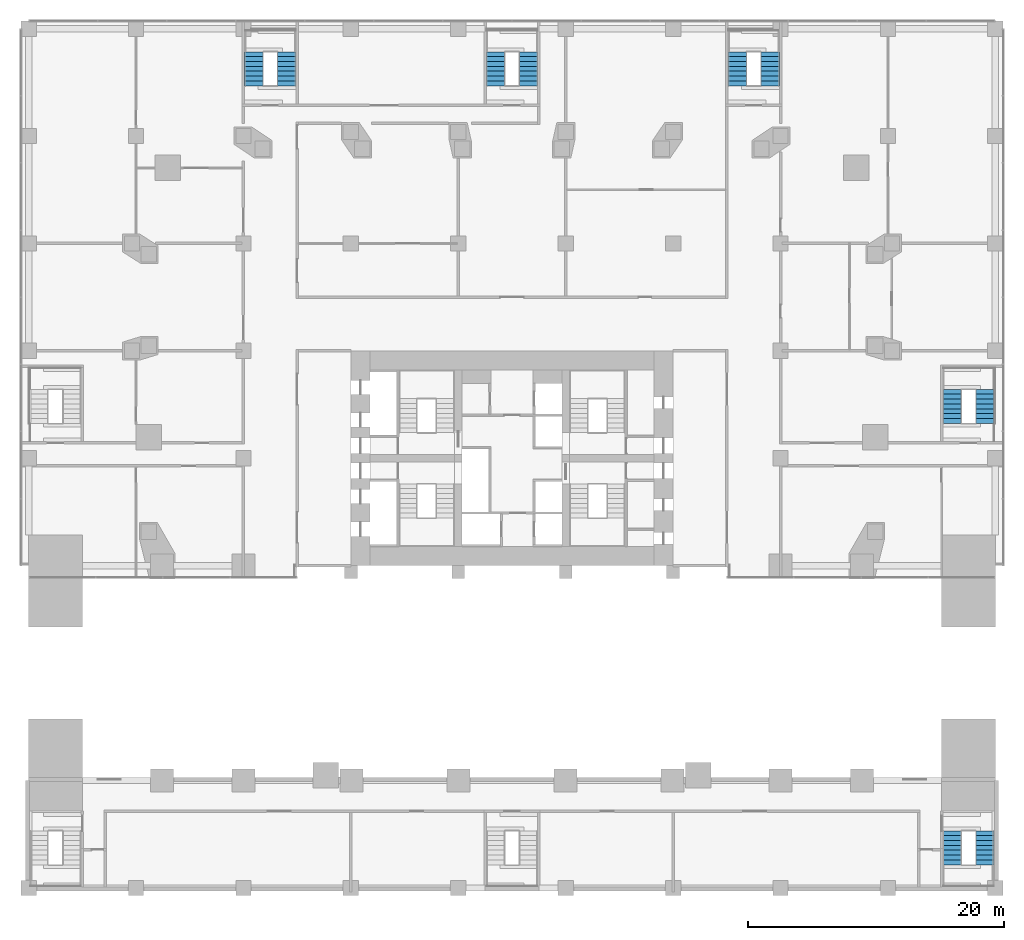
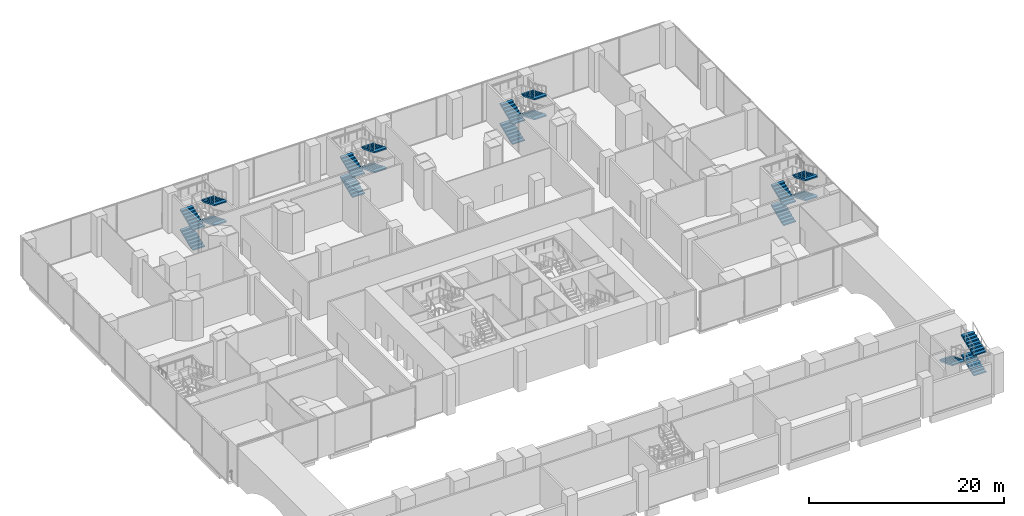
# One storey, part 22 of 28: 19 stair flights, 5 elements without a shape of their own.
"""IFC4 building model written with IfcOpenShell, lengths in metres."""

from ifc_helpers import new_model, si_unit, direction, frame, origin, place, context, subcontext, project, spatial, polyline, outline, extrude, material, type_object, element, aggregate, save


model = new_model("IFC4")

# Units and contexts
model_context = context("Model", 3, precision=1e-05, world=origin(), true_north=direction((0.0, 1.0)))
body_context = subcontext(model_context, "Body", "Model", "MODEL_VIEW")
ifc_project = project(units=[si_unit("LENGTHUNIT", "METRE"), si_unit("AREAUNIT", "SQUARE_METRE"), si_unit("VOLUMEUNIT", "CUBIC_METRE"), si_unit("PLANEANGLEUNIT", "RADIAN"), si_unit("MASSUNIT", "GRAM", prefix="KILO")], contexts=[model_context])

# Site, building, storey
site_placement = place(None, origin())
site = spatial("IfcSite", under=ifc_project, at=site_placement, CompositionType="ELEMENT")
building_placement = place(site_placement, origin())
building = spatial("IfcBuilding", under=site, at=building_placement, Name="Marenta Gate Hotel Tower", CompositionType="ELEMENT")
storey_placement = place(building_placement, frame((0.0, 0.0, 26.0)))
storey = spatial("IfcBuildingStorey", under=building, at=storey_placement, Name="L04", CompositionType="ELEMENT", Elevation=26.0)

# Stair, stair flights
ifc_material_1 = material(Name="Concrete C40", Category="concrete")
stair_type = type_object("IfcStairType", Name="Podium exit stair 1430 wide", PredefinedType="HALF_TURN_STAIR", material=ifc_material_1)
stair_1_placement = place(storey_placement, origin())
stair_1 = element("IfcStair", 1, at=stair_1_placement, inside=storey, type_object=stair_type, Name="Podium exit stair 2", PredefinedType="HALF_TURN_STAIR")
ifc_material_2 = material(Name="Concrete C40", Category="concrete")
stair_flight_type = type_object("IfcStairFlightType", Name="Podium stair flight 1430 riser 156.2 going 380", PredefinedType="STRAIGHT", material=ifc_material_2)
stair_flight_1_placement = place(storey_placement, frame((36.985107421875, -23.389892578125, 1.25), z_axis=(0.0, 0.0, 1.0), x_axis=(0.0, 1.0, 0.0)))
stair_flight_1 = element("IfcStairFlight", 2, at=stair_flight_1_placement, type_object=stair_flight_type, Name="PX2 flight 2", NumberOfRisers=8, NumberOfTreads=7, PredefinedType="STRAIGHT", RiserHeight=0.15625, TreadLength=0.38, context=body_context, shape_type="SweptSolid", body=[
    extrude(outline(polyline([(0.0, 0.0), (0.0, 0.15625), (0.3798828125, 0.15625), (0.3798828125, 0.3125), (0.760009765625, 0.3125), (0.760009765625, 0.46875), (1.139892578125, 0.46875), (1.139892578125, 0.625), (1.52001953125, 0.625), (1.52001953125, 0.78125), (1.89990234375, 0.78125), (1.89990234375, 0.9375), (2.280029296875, 0.9375), (2.280029296875, 1.09375), (2.659912109375, 1.09375), (2.659912109375, 1.25), (2.659912109375, 0.931640625), (0.394287109375, 0.0), (0.0, 0.0)])), frame((0.0, 0.71484375, 0.0), z_axis=(0.0, -1.0, 0.0), x_axis=(1.0, 0.0, 0.0)), (0.0, 0.0, 1.0), 1.429931640625),
])
stair_flight_2_placement = place(storey_placement, frame((34.4150390625, -20.72998046875, 2.5), z_axis=(0.0, 0.0, 1.0), x_axis=(0.0, -1.0, 0.0)))
stair_flight_2 = element("IfcStairFlight", 3, at=stair_flight_2_placement, type_object=stair_flight_type, Name="PX2 flight 3", NumberOfRisers=8, NumberOfTreads=7, PredefinedType="STRAIGHT", RiserHeight=0.15625, TreadLength=0.38, context=body_context, shape_type="SweptSolid", body=[
    extrude(outline(polyline([(0.0, 0.0), (0.0, 0.15625), (0.3798828125, 0.15625), (0.3798828125, 0.3125), (0.760009765625, 0.3125), (0.760009765625, 0.46875), (1.139892578125, 0.46875), (1.139892578125, 0.625), (1.52001953125, 0.625), (1.52001953125, 0.78125), (1.89990234375, 0.78125), (1.89990234375, 0.9375), (2.280029296875, 0.9375), (2.280029296875, 1.09375), (2.659912109375, 1.09375), (2.659912109375, 1.25), (2.659912109375, 0.931640625), (0.394287109375, 0.0), (0.0, 0.0)])), frame((0.0, 0.71484375, 0.0), z_axis=(0.0, -1.0, 0.0), x_axis=(1.0, 0.0, 0.0)), (0.0, 0.0, 1.0), 1.429931640625),
])
stair_flight_3_placement = place(storey_placement, frame((36.985107421875, -23.389892578125, 3.75), z_axis=(0.0, 0.0, 1.0), x_axis=(0.0, 1.0, 0.0)))
stair_flight_3 = element("IfcStairFlight", 4, at=stair_flight_3_placement, type_object=stair_flight_type, Name="PX2 flight 4", NumberOfRisers=8, NumberOfTreads=7, PredefinedType="STRAIGHT", RiserHeight=0.15625, TreadLength=0.38, context=body_context, shape_type="SweptSolid", body=[
    extrude(outline(polyline([(0.0, 0.0), (0.0, 0.15625), (0.3798828125, 0.15625), (0.3798828125, 0.3125), (0.760009765625, 0.3125), (0.760009765625, 0.46875), (1.139892578125, 0.46875), (1.139892578125, 0.625), (1.52001953125, 0.625), (1.52001953125, 0.78125), (1.89990234375, 0.78125), (1.89990234375, 0.9375), (2.280029296875, 0.9375), (2.280029296875, 1.09375), (2.659912109375, 1.09375), (2.659912109375, 1.25), (2.659912109375, 0.931640625), (0.394287109375, 0.0), (0.0, 0.0)])), frame((0.0, 0.71484375, 0.0), z_axis=(0.0, -1.0, 0.0), x_axis=(1.0, 0.0, 0.0)), (0.0, 0.0, 1.0), 1.429931640625),
])
aggregate(stair_1, [stair_flight_1, stair_flight_2, stair_flight_3])

stair_2_placement = place(storey_placement, origin())
stair_2 = element("IfcStair", 5, at=stair_2_placement, inside=storey, type_object=stair_type, Name="Podium exit stair 3", PredefinedType="HALF_TURN_STAIR")
stair_flight_4_placement = place(storey_placement, frame((-20.18505859375, 37.530029296875, 0.0), z_axis=(0.0, 0.0, 1.0), x_axis=(0.0, 1.0, 0.0)))
stair_flight_4 = element("IfcStairFlight", 6, at=stair_flight_4_placement, type_object=stair_flight_type, Name="PX3 flight 1", NumberOfRisers=8, NumberOfTreads=7, PredefinedType="STRAIGHT", RiserHeight=0.15625, TreadLength=0.38, context=body_context, shape_type="SweptSolid", body=[
    extrude(outline(polyline([(0.0, 0.0), (0.0, 0.15625), (0.3798828125, 0.15625), (0.3798828125, 0.3125), (0.760009765625, 0.3125), (0.760009765625, 0.46875), (1.139892578125, 0.46875), (1.139892578125, 0.625), (1.52001953125, 0.625), (1.52001953125, 0.78125), (1.89990234375, 0.78125), (1.89990234375, 0.9375), (2.280029296875, 0.9375), (2.280029296875, 1.09375), (2.659912109375, 1.09375), (2.659912109375, 1.25), (2.659912109375, 0.931640625), (0.394287109375, 0.0), (0.0, 0.0)])), frame((0.0, 0.71484375, 0.0), z_axis=(0.0, -1.0, 0.0), x_axis=(1.0, 0.0, 0.0)), (0.0, 0.0, 1.0), 1.429931640625),
])
stair_flight_5_placement = place(storey_placement, frame((-17.614990234375, 40.18994140625, 1.25), z_axis=(0.0, 0.0, 1.0), x_axis=(0.0, -1.0, 0.0)))
stair_flight_5 = element("IfcStairFlight", 7, at=stair_flight_5_placement, type_object=stair_flight_type, Name="PX3 flight 2", NumberOfRisers=8, NumberOfTreads=7, PredefinedType="STRAIGHT", RiserHeight=0.15625, TreadLength=0.38, context=body_context, shape_type="SweptSolid", body=[
    extrude(outline(polyline([(0.0, 0.0), (0.0, 0.15625), (0.3798828125, 0.15625), (0.3798828125, 0.3125), (0.760009765625, 0.3125), (0.760009765625, 0.46875), (1.139892578125, 0.46875), (1.139892578125, 0.625), (1.52001953125, 0.625), (1.52001953125, 0.78125), (1.89990234375, 0.78125), (1.89990234375, 0.9375), (2.280029296875, 0.9375), (2.280029296875, 1.09375), (2.659912109375, 1.09375), (2.659912109375, 1.25), (2.659912109375, 0.931640625), (0.394287109375, 0.0), (0.0, 0.0)])), frame((0.0, 0.71484375, 0.0), z_axis=(0.0, -1.0, 0.0), x_axis=(1.0, 0.0, 0.0)), (0.0, 0.0, 1.0), 1.429931640625),
])
stair_flight_6_placement = place(storey_placement, frame((-20.18505859375, 37.530029296875, 2.5), z_axis=(0.0, 0.0, 1.0), x_axis=(0.0, 1.0, 0.0)))
stair_flight_6 = element("IfcStairFlight", 8, at=stair_flight_6_placement, type_object=stair_flight_type, Name="PX3 flight 3", NumberOfRisers=8, NumberOfTreads=7, PredefinedType="STRAIGHT", RiserHeight=0.15625, TreadLength=0.38, context=body_context, shape_type="SweptSolid", body=[
    extrude(outline(polyline([(0.0, 0.0), (0.0, 0.15625), (0.3798828125, 0.15625), (0.3798828125, 0.3125), (0.760009765625, 0.3125), (0.760009765625, 0.46875), (1.139892578125, 0.46875), (1.139892578125, 0.625), (1.52001953125, 0.625), (1.52001953125, 0.78125), (1.89990234375, 0.78125), (1.89990234375, 0.9375), (2.280029296875, 0.9375), (2.280029296875, 1.09375), (2.659912109375, 1.09375), (2.659912109375, 1.25), (2.659912109375, 0.931640625), (0.394287109375, 0.0), (0.0, 0.0)])), frame((0.0, 0.71484375, 0.0), z_axis=(0.0, -1.0, 0.0), x_axis=(1.0, 0.0, 0.0)), (0.0, 0.0, 1.0), 1.429931640625),
])
stair_flight_7_placement = place(storey_placement, frame((-17.614990234375, 40.18994140625, 3.75), z_axis=(0.0, 0.0, 1.0), x_axis=(0.0, -1.0, 0.0)))
stair_flight_7 = element("IfcStairFlight", 9, at=stair_flight_7_placement, type_object=stair_flight_type, Name="PX3 flight 4", NumberOfRisers=8, NumberOfTreads=7, PredefinedType="STRAIGHT", RiserHeight=0.15625, TreadLength=0.38, context=body_context, shape_type="SweptSolid", body=[
    extrude(outline(polyline([(0.0, 0.0), (0.0, 0.15625), (0.3798828125, 0.15625), (0.3798828125, 0.3125), (0.760009765625, 0.3125), (0.760009765625, 0.46875), (1.139892578125, 0.46875), (1.139892578125, 0.625), (1.52001953125, 0.625), (1.52001953125, 0.78125), (1.89990234375, 0.78125), (1.89990234375, 0.9375), (2.280029296875, 0.9375), (2.280029296875, 1.09375), (2.659912109375, 1.09375), (2.659912109375, 1.25), (2.659912109375, 0.931640625), (0.394287109375, 0.0), (0.0, 0.0)])), frame((0.0, 0.71484375, 0.0), z_axis=(0.0, -1.0, 0.0), x_axis=(1.0, 0.0, 0.0)), (0.0, 0.0, 1.0), 1.429931640625),
])
aggregate(stair_2, [stair_flight_4, stair_flight_5, stair_flight_6, stair_flight_7])

stair_3_placement = place(storey_placement, origin())
stair_3 = element("IfcStair", 10, at=stair_3_placement, inside=storey, type_object=stair_type, Name="Podium exit stair 4", PredefinedType="HALF_TURN_STAIR")
stair_flight_8_placement = place(storey_placement, frame((17.614990234375, 37.530029296875, 0.0), z_axis=(0.0, 0.0, 1.0), x_axis=(0.0, 1.0, 0.0)))
stair_flight_8 = element("IfcStairFlight", 11, at=stair_flight_8_placement, type_object=stair_flight_type, Name="PX4 flight 1", NumberOfRisers=8, NumberOfTreads=7, PredefinedType="STRAIGHT", RiserHeight=0.15625, TreadLength=0.38, context=body_context, shape_type="SweptSolid", body=[
    extrude(outline(polyline([(0.0, 0.0), (0.0, 0.15625), (0.3798828125, 0.15625), (0.3798828125, 0.3125), (0.760009765625, 0.3125), (0.760009765625, 0.46875), (1.139892578125, 0.46875), (1.139892578125, 0.625), (1.52001953125, 0.625), (1.52001953125, 0.78125), (1.89990234375, 0.78125), (1.89990234375, 0.9375), (2.280029296875, 0.9375), (2.280029296875, 1.09375), (2.659912109375, 1.09375), (2.659912109375, 1.25), (2.659912109375, 0.931640625), (0.394287109375, 0.0), (0.0, 0.0)])), frame((0.0, 0.71484375, 0.0), z_axis=(0.0, -1.0, 0.0), x_axis=(1.0, 0.0, 0.0)), (0.0, 0.0, 1.0), 1.429931640625),
])
stair_flight_9_placement = place(storey_placement, frame((20.18505859375, 40.18994140625, 1.25), z_axis=(0.0, 0.0, 1.0), x_axis=(0.0, -1.0, 0.0)))
stair_flight_9 = element("IfcStairFlight", 12, at=stair_flight_9_placement, type_object=stair_flight_type, Name="PX4 flight 2", NumberOfRisers=8, NumberOfTreads=7, PredefinedType="STRAIGHT", RiserHeight=0.15625, TreadLength=0.38, context=body_context, shape_type="SweptSolid", body=[
    extrude(outline(polyline([(0.0, 0.0), (0.0, 0.15625), (0.3798828125, 0.15625), (0.3798828125, 0.3125), (0.760009765625, 0.3125), (0.760009765625, 0.46875), (1.139892578125, 0.46875), (1.139892578125, 0.625), (1.52001953125, 0.625), (1.52001953125, 0.78125), (1.89990234375, 0.78125), (1.89990234375, 0.9375), (2.280029296875, 0.9375), (2.280029296875, 1.09375), (2.659912109375, 1.09375), (2.659912109375, 1.25), (2.659912109375, 0.931640625), (0.394287109375, 0.0), (0.0, 0.0)])), frame((0.0, 0.71484375, 0.0), z_axis=(0.0, -1.0, 0.0), x_axis=(1.0, 0.0, 0.0)), (0.0, 0.0, 1.0), 1.429931640625),
])
stair_flight_10_placement = place(storey_placement, frame((17.614990234375, 37.530029296875, 2.5), z_axis=(0.0, 0.0, 1.0), x_axis=(0.0, 1.0, 0.0)))
stair_flight_10 = element("IfcStairFlight", 13, at=stair_flight_10_placement, type_object=stair_flight_type, Name="PX4 flight 3", NumberOfRisers=8, NumberOfTreads=7, PredefinedType="STRAIGHT", RiserHeight=0.15625, TreadLength=0.38, context=body_context, shape_type="SweptSolid", body=[
    extrude(outline(polyline([(0.0, 0.0), (0.0, 0.15625), (0.3798828125, 0.15625), (0.3798828125, 0.3125), (0.760009765625, 0.3125), (0.760009765625, 0.46875), (1.139892578125, 0.46875), (1.139892578125, 0.625), (1.52001953125, 0.625), (1.52001953125, 0.78125), (1.89990234375, 0.78125), (1.89990234375, 0.9375), (2.280029296875, 0.9375), (2.280029296875, 1.09375), (2.659912109375, 1.09375), (2.659912109375, 1.25), (2.659912109375, 0.931640625), (0.394287109375, 0.0), (0.0, 0.0)])), frame((0.0, 0.71484375, 0.0), z_axis=(0.0, -1.0, 0.0), x_axis=(1.0, 0.0, 0.0)), (0.0, 0.0, 1.0), 1.429931640625),
])
stair_flight_11_placement = place(storey_placement, frame((20.18505859375, 40.18994140625, 3.75), z_axis=(0.0, 0.0, 1.0), x_axis=(0.0, -1.0, 0.0)))
stair_flight_11 = element("IfcStairFlight", 14, at=stair_flight_11_placement, type_object=stair_flight_type, Name="PX4 flight 4", NumberOfRisers=8, NumberOfTreads=7, PredefinedType="STRAIGHT", RiserHeight=0.15625, TreadLength=0.38, context=body_context, shape_type="SweptSolid", body=[
    extrude(outline(polyline([(0.0, 0.0), (0.0, 0.15625), (0.3798828125, 0.15625), (0.3798828125, 0.3125), (0.760009765625, 0.3125), (0.760009765625, 0.46875), (1.139892578125, 0.46875), (1.139892578125, 0.625), (1.52001953125, 0.625), (1.52001953125, 0.78125), (1.89990234375, 0.78125), (1.89990234375, 0.9375), (2.280029296875, 0.9375), (2.280029296875, 1.09375), (2.659912109375, 1.09375), (2.659912109375, 1.25), (2.659912109375, 0.931640625), (0.394287109375, 0.0), (0.0, 0.0)])), frame((0.0, 0.71484375, 0.0), z_axis=(0.0, -1.0, 0.0), x_axis=(1.0, 0.0, 0.0)), (0.0, 0.0, 1.0), 1.429931640625),
])
aggregate(stair_3, [stair_flight_8, stair_flight_9, stair_flight_10, stair_flight_11])

stair_4_placement = place(storey_placement, origin())
stair_4 = element("IfcStair", 15, at=stair_4_placement, inside=storey, type_object=stair_type, Name="Podium exit stair 7", PredefinedType="HALF_TURN_STAIR")
stair_flight_12_placement = place(storey_placement, frame((34.4150390625, 11.1298828125, 0.0), z_axis=(0.0, 0.0, 1.0), x_axis=(0.0, 1.0, 0.0)))
stair_flight_12 = element("IfcStairFlight", 16, at=stair_flight_12_placement, type_object=stair_flight_type, Name="PX7 flight 1", NumberOfRisers=8, NumberOfTreads=7, PredefinedType="STRAIGHT", RiserHeight=0.15625, TreadLength=0.38, context=body_context, shape_type="SweptSolid", body=[
    extrude(outline(polyline([(0.0, 0.0), (0.0, 0.15625), (0.3798828125, 0.15625), (0.3798828125, 0.3125), (0.760009765625, 0.3125), (0.760009765625, 0.46875), (1.139892578125, 0.46875), (1.139892578125, 0.625), (1.52001953125, 0.625), (1.52001953125, 0.78125), (1.89990234375, 0.78125), (1.89990234375, 0.9375), (2.280029296875, 0.9375), (2.280029296875, 1.09375), (2.659912109375, 1.09375), (2.659912109375, 1.25), (2.659912109375, 0.931640625), (0.394287109375, 0.0), (0.0, 0.0)])), frame((0.0, 0.71484375, 0.0), z_axis=(0.0, -1.0, 0.0), x_axis=(1.0, 0.0, 0.0)), (0.0, 0.0, 1.0), 1.429931640625),
])
stair_flight_13_placement = place(storey_placement, frame((36.985107421875, 13.7900390625, 1.25), z_axis=(0.0, 0.0, 1.0), x_axis=(0.0, -1.0, 0.0)))
stair_flight_13 = element("IfcStairFlight", 17, at=stair_flight_13_placement, type_object=stair_flight_type, Name="PX7 flight 2", NumberOfRisers=8, NumberOfTreads=7, PredefinedType="STRAIGHT", RiserHeight=0.15625, TreadLength=0.38, context=body_context, shape_type="SweptSolid", body=[
    extrude(outline(polyline([(0.0, 0.0), (0.0, 0.15625), (0.3798828125, 0.15625), (0.3798828125, 0.3125), (0.760009765625, 0.3125), (0.760009765625, 0.46875), (1.139892578125, 0.46875), (1.139892578125, 0.625), (1.52001953125, 0.625), (1.52001953125, 0.78125), (1.89990234375, 0.78125), (1.89990234375, 0.9375), (2.280029296875, 0.9375), (2.280029296875, 1.09375), (2.659912109375, 1.09375), (2.659912109375, 1.25), (2.659912109375, 0.931640625), (0.394287109375, 0.0), (0.0, 0.0)])), frame((0.0, 0.71484375, 0.0), z_axis=(0.0, -1.0, 0.0), x_axis=(1.0, 0.0, 0.0)), (0.0, 0.0, 1.0), 1.429931640625),
])
stair_flight_14_placement = place(storey_placement, frame((34.4150390625, 11.1298828125, 2.5), z_axis=(0.0, 0.0, 1.0), x_axis=(0.0, 1.0, 0.0)))
stair_flight_14 = element("IfcStairFlight", 18, at=stair_flight_14_placement, type_object=stair_flight_type, Name="PX7 flight 3", NumberOfRisers=8, NumberOfTreads=7, PredefinedType="STRAIGHT", RiserHeight=0.15625, TreadLength=0.38, context=body_context, shape_type="SweptSolid", body=[
    extrude(outline(polyline([(0.0, 0.0), (0.0, 0.15625), (0.3798828125, 0.15625), (0.3798828125, 0.3125), (0.760009765625, 0.3125), (0.760009765625, 0.46875), (1.139892578125, 0.46875), (1.139892578125, 0.625), (1.52001953125, 0.625), (1.52001953125, 0.78125), (1.89990234375, 0.78125), (1.89990234375, 0.9375), (2.280029296875, 0.9375), (2.280029296875, 1.09375), (2.659912109375, 1.09375), (2.659912109375, 1.25), (2.659912109375, 0.931640625), (0.394287109375, 0.0), (0.0, 0.0)])), frame((0.0, 0.71484375, 0.0), z_axis=(0.0, -1.0, 0.0), x_axis=(1.0, 0.0, 0.0)), (0.0, 0.0, 1.0), 1.429931640625),
])
stair_flight_15_placement = place(storey_placement, frame((36.985107421875, 13.7900390625, 3.75), z_axis=(0.0, 0.0, 1.0), x_axis=(0.0, -1.0, 0.0)))
stair_flight_15 = element("IfcStairFlight", 19, at=stair_flight_15_placement, type_object=stair_flight_type, Name="PX7 flight 4", NumberOfRisers=8, NumberOfTreads=7, PredefinedType="STRAIGHT", RiserHeight=0.15625, TreadLength=0.38, context=body_context, shape_type="SweptSolid", body=[
    extrude(outline(polyline([(0.0, 0.0), (0.0, 0.15625), (0.3798828125, 0.15625), (0.3798828125, 0.3125), (0.760009765625, 0.3125), (0.760009765625, 0.46875), (1.139892578125, 0.46875), (1.139892578125, 0.625), (1.52001953125, 0.625), (1.52001953125, 0.78125), (1.89990234375, 0.78125), (1.89990234375, 0.9375), (2.280029296875, 0.9375), (2.280029296875, 1.09375), (2.659912109375, 1.09375), (2.659912109375, 1.25), (2.659912109375, 0.931640625), (0.394287109375, 0.0), (0.0, 0.0)])), frame((0.0, 0.71484375, 0.0), z_axis=(0.0, -1.0, 0.0), x_axis=(1.0, 0.0, 0.0)), (0.0, 0.0, 1.0), 1.429931640625),
])
aggregate(stair_4, [stair_flight_12, stair_flight_13, stair_flight_14, stair_flight_15])

stair_5_placement = place(storey_placement, origin())
stair_5 = element("IfcStair", 20, at=stair_5_placement, inside=storey, type_object=stair_type, Name="Podium exit stair 8", PredefinedType="HALF_TURN_STAIR")
stair_flight_16_placement = place(storey_placement, frame((-1.284912109375, 37.530029296875, 0.0), z_axis=(0.0, 0.0, 1.0), x_axis=(0.0, 1.0, 0.0)))
stair_flight_16 = element("IfcStairFlight", 21, at=stair_flight_16_placement, type_object=stair_flight_type, Name="PX8 flight 1", NumberOfRisers=8, NumberOfTreads=7, PredefinedType="STRAIGHT", RiserHeight=0.15625, TreadLength=0.38, context=body_context, shape_type="SweptSolid", body=[
    extrude(outline(polyline([(0.0, 0.0), (0.0, 0.15625), (0.3798828125, 0.15625), (0.3798828125, 0.3125), (0.760009765625, 0.3125), (0.760009765625, 0.46875), (1.139892578125, 0.46875), (1.139892578125, 0.625), (1.52001953125, 0.625), (1.52001953125, 0.78125), (1.89990234375, 0.78125), (1.89990234375, 0.9375), (2.280029296875, 0.9375), (2.280029296875, 1.09375), (2.659912109375, 1.09375), (2.659912109375, 1.25), (2.659912109375, 0.931640625), (0.394287109375, 0.0), (0.0, 0.0)])), frame((0.0, 0.71484375, 0.0), z_axis=(0.0, -1.0, 0.0), x_axis=(1.0, 0.0, 0.0)), (0.0, 0.0, 1.0), 1.429931640625),
])
stair_flight_17_placement = place(storey_placement, frame((1.284912109375, 40.18994140625, 1.25), z_axis=(0.0, 0.0, 1.0), x_axis=(0.0, -1.0, 0.0)))
stair_flight_17 = element("IfcStairFlight", 22, at=stair_flight_17_placement, type_object=stair_flight_type, Name="PX8 flight 2", NumberOfRisers=8, NumberOfTreads=7, PredefinedType="STRAIGHT", RiserHeight=0.15625, TreadLength=0.38, context=body_context, shape_type="SweptSolid", body=[
    extrude(outline(polyline([(0.0, 0.0), (0.0, 0.15625), (0.3798828125, 0.15625), (0.3798828125, 0.3125), (0.760009765625, 0.3125), (0.760009765625, 0.46875), (1.139892578125, 0.46875), (1.139892578125, 0.625), (1.52001953125, 0.625), (1.52001953125, 0.78125), (1.89990234375, 0.78125), (1.89990234375, 0.9375), (2.280029296875, 0.9375), (2.280029296875, 1.09375), (2.659912109375, 1.09375), (2.659912109375, 1.25), (2.659912109375, 0.931640625), (0.394287109375, 0.0), (0.0, 0.0)])), frame((0.0, 0.71484375, 0.0), z_axis=(0.0, -1.0, 0.0), x_axis=(1.0, 0.0, 0.0)), (0.0, 0.0, 1.0), 1.429931640625),
])
stair_flight_18_placement = place(storey_placement, frame((-1.284912109375, 37.530029296875, 2.5), z_axis=(0.0, 0.0, 1.0), x_axis=(0.0, 1.0, 0.0)))
stair_flight_18 = element("IfcStairFlight", 23, at=stair_flight_18_placement, type_object=stair_flight_type, Name="PX8 flight 3", NumberOfRisers=8, NumberOfTreads=7, PredefinedType="STRAIGHT", RiserHeight=0.15625, TreadLength=0.38, context=body_context, shape_type="SweptSolid", body=[
    extrude(outline(polyline([(0.0, 0.0), (0.0, 0.15625), (0.3798828125, 0.15625), (0.3798828125, 0.3125), (0.760009765625, 0.3125), (0.760009765625, 0.46875), (1.139892578125, 0.46875), (1.139892578125, 0.625), (1.52001953125, 0.625), (1.52001953125, 0.78125), (1.89990234375, 0.78125), (1.89990234375, 0.9375), (2.280029296875, 0.9375), (2.280029296875, 1.09375), (2.659912109375, 1.09375), (2.659912109375, 1.25), (2.659912109375, 0.931640625), (0.394287109375, 0.0), (0.0, 0.0)])), frame((0.0, 0.71484375, 0.0), z_axis=(0.0, -1.0, 0.0), x_axis=(1.0, 0.0, 0.0)), (0.0, 0.0, 1.0), 1.429931640625),
])
stair_flight_19_placement = place(storey_placement, frame((1.284912109375, 40.18994140625, 3.75), z_axis=(0.0, 0.0, 1.0), x_axis=(0.0, -1.0, 0.0)))
stair_flight_19 = element("IfcStairFlight", 24, at=stair_flight_19_placement, type_object=stair_flight_type, Name="PX8 flight 4", NumberOfRisers=8, NumberOfTreads=7, PredefinedType="STRAIGHT", RiserHeight=0.15625, TreadLength=0.38, context=body_context, shape_type="SweptSolid", body=[
    extrude(outline(polyline([(0.0, 0.0), (0.0, 0.15625), (0.3798828125, 0.15625), (0.3798828125, 0.3125), (0.760009765625, 0.3125), (0.760009765625, 0.46875), (1.139892578125, 0.46875), (1.139892578125, 0.625), (1.52001953125, 0.625), (1.52001953125, 0.78125), (1.89990234375, 0.78125), (1.89990234375, 0.9375), (2.280029296875, 0.9375), (2.280029296875, 1.09375), (2.659912109375, 1.09375), (2.659912109375, 1.25), (2.659912109375, 0.931640625), (0.394287109375, 0.0), (0.0, 0.0)])), frame((0.0, 0.71484375, 0.0), z_axis=(0.0, -1.0, 0.0), x_axis=(1.0, 0.0, 0.0)), (0.0, 0.0, 1.0), 1.429931640625),
])
aggregate(stair_5, [stair_flight_16, stair_flight_17, stair_flight_18, stair_flight_19])

save(model, "model.ifc")
